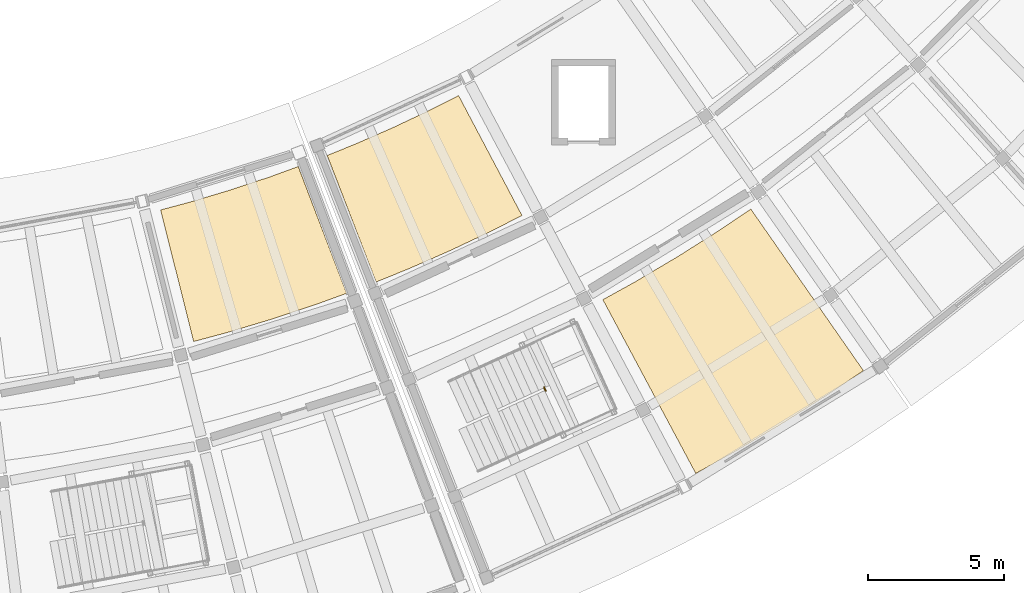
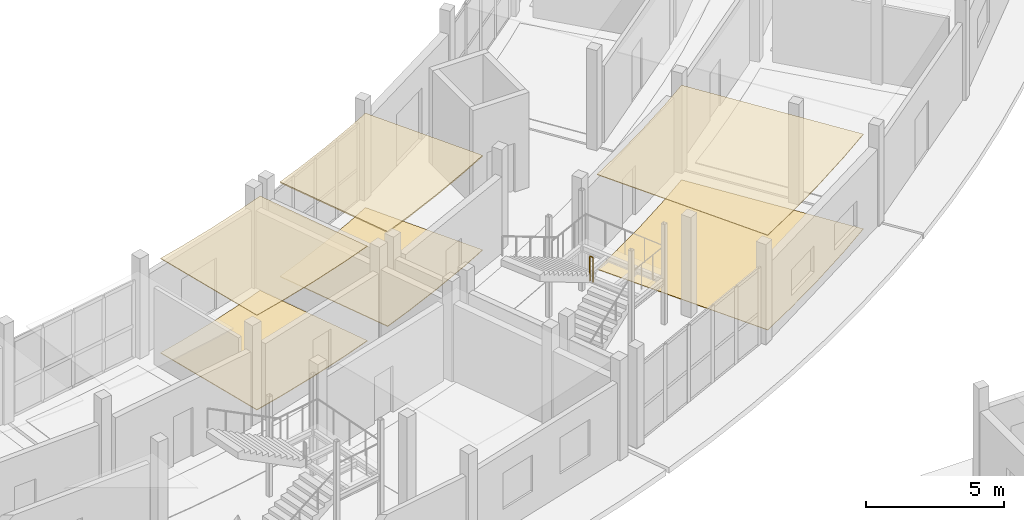
# One storey, part 85 of 92: 6 coverings, 1 railing.
"""IFC4 building model written with IfcOpenShell, lengths in metres."""

from ifc_helpers import new_model, si_unit, direction, frame, origin, origin_2d, place, context, subcontext, project, spatial, polyline, circle, outline, extrude, material, layer, layer_set, type_object, element, save


model = new_model("IFC4")

# Units and contexts
model_context = context("Model", 3, precision=1e-05, world=origin(), true_north=direction((0.0, 1.0)))
body_context = subcontext(model_context, "Body", "Model", "MODEL_VIEW")
ifc_project = project(units=[si_unit("LENGTHUNIT", "METRE"), si_unit("AREAUNIT", "SQUARE_METRE"), si_unit("VOLUMEUNIT", "CUBIC_METRE"), si_unit("PLANEANGLEUNIT", "RADIAN"), si_unit("MASSUNIT", "GRAM", prefix="KILO")], contexts=[model_context])

# Site, building, storey
site_placement = place(None, origin())
site = spatial("IfcSite", under=ifc_project, at=site_placement, CompositionType="ELEMENT")
building_placement = place(site_placement, origin())
building = spatial("IfcBuilding", under=site, at=building_placement, Name="Caldaven Crescent School", CompositionType="ELEMENT")
storey_placement = place(building_placement, origin())
storey = spatial("IfcBuildingStorey", under=building, at=storey_placement, Name="L00", CompositionType="ELEMENT", Elevation=0.0)

# Coverings
ifc_material_1 = material(Name="Perforated Pino Radiata acoustic timber baffle ceiling", Category="wood")
ifc_layer_1 = layer(ifc_material_1, 0.030029296875)
ifc_layer_set_1 = layer_set([ifc_layer_1], Name="Perforated Pino Radiata acoustic timber baffle ceiling")
covering_type_1 = type_object("IfcCoveringType", Name="COV-CLG1", PredefinedType="CEILING", material=ifc_layer_set_1)
covering_1_placement = place(storey_placement, frame((0.0, 0.0, 4.169921875)))
element("IfcCovering", 1, at=covering_1_placement, inside=storey, type_object=covering_type_1, Name="CLG-L00-104", PredefinedType="CEILING", context=body_context, shape_type="SweptSolid", body=[
    extrude(outline(polyline([(102.41943359375, 45.072021484375), (102.43212890625, 45.07568359375), (103.909912109375, 45.517822265625), (103.922607421875, 45.521728515625), (105.386962890625, 46.00732421875), (105.3994140625, 46.01171875), (106.43212890625, 46.38818359375), (108.21337890625, 41.716064453125), (107.0361328125, 41.287109375), (105.419921875, 40.751220703125), (103.78857421875, 40.26318359375), (102.578369140625, 39.939453125), (101.357666015625, 44.7880859375), (102.41943359375, 45.072021484375)])), origin(), (0.0, 0.0, 1.0), 0.030029296875),
])
covering_2_placement = place(storey_placement, frame((0.0, 0.0, 4.169921875)))
element("IfcCovering", 2, at=covering_2_placement, inside=storey, type_object=covering_type_1, Name="CLG-L00-108", PredefinedType="CEILING", context=body_context, shape_type="SweptSolid", body=[
    extrude(outline(polyline([(118.856201171875, 42.14306640625), (118.86767578125, 42.149658203125), (120.42578125, 43.0732421875), (120.43701171875, 43.080078125), (121.96728515625, 44.049072265625), (121.978515625, 44.056396484375), (123.112060546875, 44.82177734375), (127.2626953125, 38.865234375), (125.946533203125, 37.976806640625), (124.224853515625, 36.886474609375), (122.4716796875, 35.847412109375), (121.08251953125, 35.078125), (117.659423828125, 41.48046875), (118.856201171875, 42.14306640625)])), origin(), (0.0, 0.0, 1.0), 0.030029296875),
])
ifc_layer_2 = layer(ifc_material_1, 0.053955078125)
ifc_layer_set_2 = layer_set([ifc_layer_2], Name="Perforated Pino Radiata acoustic timber baffle ceiling")
covering_type_2 = type_object("IfcCoveringType", Name="COV-CLG4", PredefinedType="CEILING", material=ifc_layer_set_2)
covering_3_placement = place(storey_placement, frame((0.0, 0.0, 4.14599609375)))
element("IfcCovering", 3, at=covering_3_placement, inside=storey, type_object=covering_type_2, Name="CLG-L00-107", PredefinedType="CEILING", context=body_context, shape_type="SweptSolid", body=[
    extrude(outline(polyline([(108.5185546875, 47.208984375), (108.53076171875, 47.214111328125), (109.943603515625, 47.8330078125), (109.955810546875, 47.83837890625), (111.349853515625, 48.498779296875), (111.36181640625, 48.504638671875), (112.341064453125, 49.004150390625), (114.677978515625, 44.584228515625), (113.56201171875, 44.014892578125), (112.023193359375, 43.285888671875), (110.46337890625, 42.6025390625), (109.3017578125, 42.1337890625), (107.4990234375, 46.797607421875), (108.5185546875, 47.208984375)])), origin(), (0.0, 0.0, 1.0), 0.053955078125),
])
ifc_material_2 = material(Name="Polished terrazzo and acoustic linoleum flooring")
ifc_layer_3 = layer(ifc_material_2, 0.02001953125)
ifc_layer_set_3 = layer_set([ifc_layer_3], Name="Polished terrazzo and acoustic linoleum flooring")
covering_type_3 = type_object("IfcCoveringType", Name="COV-FLR1", PredefinedType="FLOORING", material=ifc_layer_set_3)
covering_4_placement = place(storey_placement, origin())
element("IfcCovering", 4, at=covering_4_placement, inside=storey, type_object=covering_type_3, Name="FLR-L00-108", PredefinedType="FLOORING", context=body_context, shape_type="SweptSolid", body=[
    extrude(outline(polyline([(117.659423828125, 41.48046875), (118.856201171875, 42.14306640625), (118.86767578125, 42.149658203125), (120.42578125, 43.0732421875), (120.43701171875, 43.080078125), (121.96728515625, 44.049072265625), (121.978515625, 44.056396484375), (123.112060546875, 44.82177734375), (127.2626953125, 38.865234375), (125.946533203125, 37.976806640625), (124.224853515625, 36.886474609375), (122.4716796875, 35.847412109375), (121.08251953125, 35.078125), (117.659423828125, 41.48046875)])), origin(), (0.0, 0.0, 1.0), 0.02001953125),
])
ifc_layer_4 = layer(ifc_material_2, 0.031982421875)
ifc_layer_set_4 = layer_set([ifc_layer_4], Name="Polished terrazzo and acoustic linoleum flooring")
covering_type_4 = type_object("IfcCoveringType", Name="COV-FLR3", PredefinedType="FLOORING", material=ifc_layer_set_4)
covering_5_placement = place(storey_placement, origin())
element("IfcCovering", 5, at=covering_5_placement, inside=storey, type_object=covering_type_4, Name="FLR-L00-104", PredefinedType="FLOORING", context=body_context, shape_type="SweptSolid", body=[
    extrude(outline(polyline([(101.357666015625, 44.7880859375), (102.41943359375, 45.072021484375), (102.43212890625, 45.07568359375), (103.909912109375, 45.517822265625), (103.922607421875, 45.521728515625), (105.386962890625, 46.00732421875), (105.3994140625, 46.01171875), (106.43212890625, 46.38818359375), (108.21337890625, 41.716064453125), (107.0361328125, 41.287109375), (105.419921875, 40.751220703125), (103.78857421875, 40.26318359375), (102.578369140625, 39.939453125), (101.357666015625, 44.7880859375)])), origin(), (0.0, 0.0, 1.0), 0.031982421875),
])
covering_6_placement = place(storey_placement, origin())
element("IfcCovering", 6, at=covering_6_placement, inside=storey, type_object=covering_type_4, Name="FLR-L00-107", PredefinedType="FLOORING", context=body_context, shape_type="SweptSolid", body=[
    extrude(outline(polyline([(107.4990234375, 46.797607421875), (108.5185546875, 47.208984375), (108.53076171875, 47.214111328125), (109.943603515625, 47.8330078125), (109.955810546875, 47.83837890625), (111.349853515625, 48.498779296875), (111.36181640625, 48.504638671875), (112.341064453125, 49.004150390625), (114.677978515625, 44.584228515625), (113.56201171875, 44.014892578125), (112.023193359375, 43.285888671875), (110.46337890625, 42.6025390625), (109.3017578125, 42.1337890625), (107.4990234375, 46.797607421875)])), origin(), (0.0, 0.0, 1.0), 0.031982421875),
])

# Railing
ifc_material_3 = material(Name="Powder-coated tubular steel balustrade ASTM A572 Grade 50", Category="steel")
railing_type = type_object("IfcRailingType", Name="RAL-INT2", PredefinedType="BALUSTRADE", material=ifc_material_3)
railing_placement = place(storey_placement, frame((115.55126953125, 38.124267578125, 2.2099609375)))
element("IfcRailing", 7, at=railing_placement, inside=storey, type_object=railing_type, Name="GD-SLT-ST4-L00", PredefinedType="BALUSTRADE", context=body_context, shape_type="SweptSolid", body=[
    extrude(circle(Radius=0.02392578125, at=origin_2d()), frame((0.0, 0.0, 1.09619140625), z_axis=(-0.413408636809, 0.910545605124, 0.0), x_axis=(-0.910545605124, -0.413408636809, 0.0)), (0.0, 0.0, 1.0), 0.139892578125),
    extrude(circle(Radius=0.02099609375, at=origin_2d()), origin(), (0.0, 0.0, 1.0), 1.072021484375),
    extrude(circle(Radius=0.02099609375, at=origin_2d()), frame((-0.057861328125, 0.12744140625, 0.0)), (0.0, 0.0, 1.0), 1.072021484375),
])

save(model, "model.ifc")
